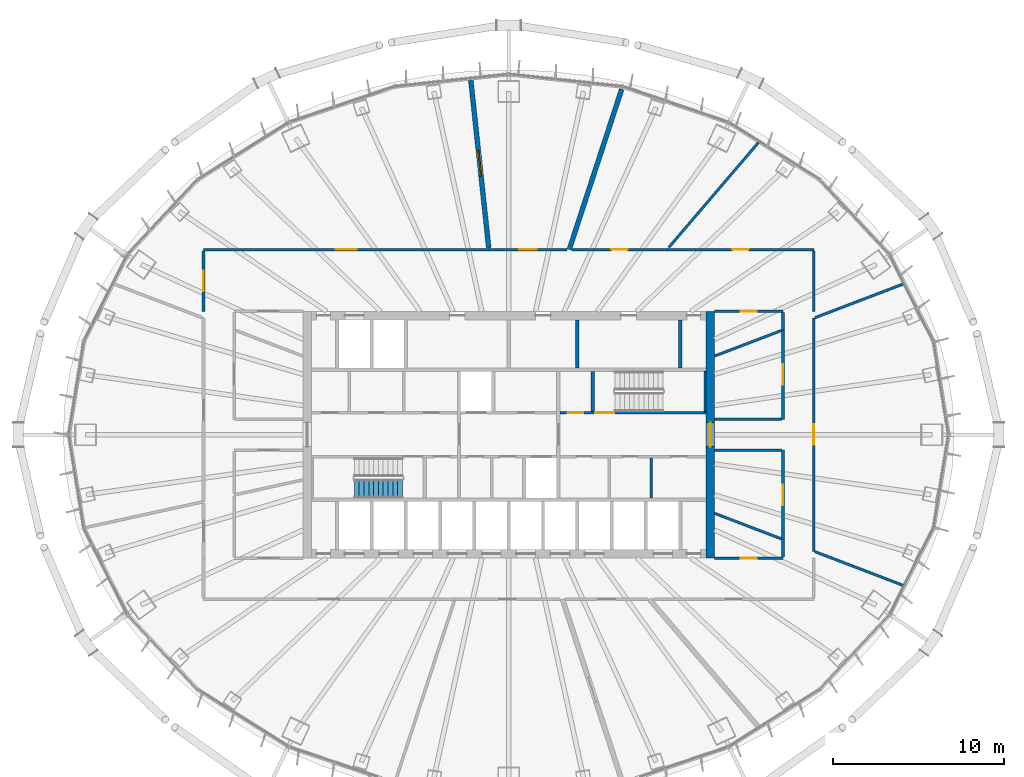
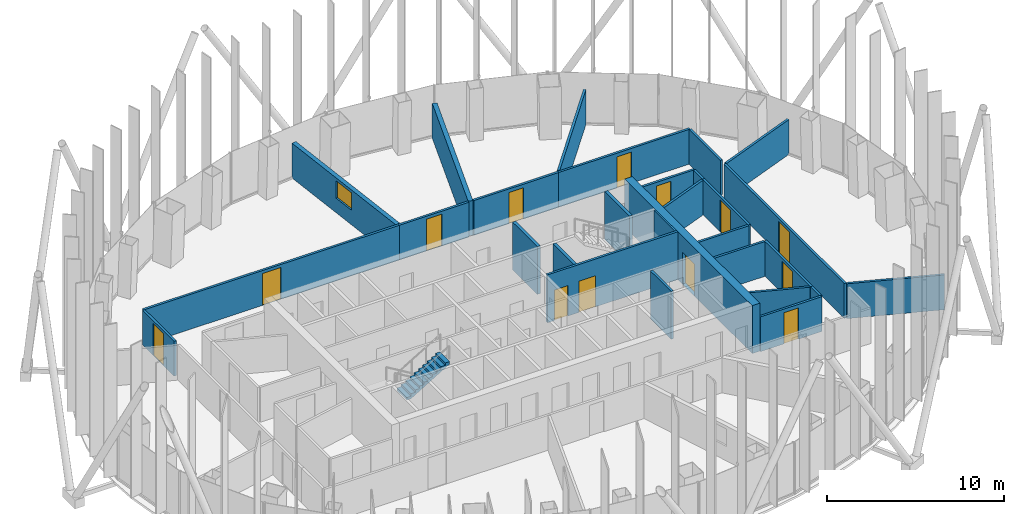
# One storey, part 11 of 20: 29 walls, 13 doors, 1 stair flight, 1 window, 14 openings, 1 element without a shape of its own.
"""IFC4 building model written with IfcOpenShell, lengths in metres."""

from ifc_helpers import new_model, si_unit, direction, frame, frame_2d, origin, place, context, subcontext, project, spatial, polyline, rectangle, outline, extrude, material, layer, layer_set, type_object, element, fill, aggregate, save


model = new_model("IFC4")

# Units and contexts
model_context = context("Model", 3, precision=1e-05, world=origin(), true_north=direction((0.0, 1.0)))
body_context = subcontext(model_context, "Body", "Model", "MODEL_VIEW")
ifc_project = project(units=[si_unit("LENGTHUNIT", "METRE"), si_unit("AREAUNIT", "SQUARE_METRE"), si_unit("VOLUMEUNIT", "CUBIC_METRE"), si_unit("PLANEANGLEUNIT", "RADIAN"), si_unit("MASSUNIT", "GRAM", prefix="KILO")], contexts=[model_context])

# Site, building, storey
site_placement = place(None, origin())
site = spatial("IfcSite", under=ifc_project, at=site_placement, CompositionType="ELEMENT")
building_placement = place(site_placement, origin())
building = spatial("IfcBuilding", under=site, at=building_placement, Name="Siaravel Broadcast Tower", CompositionType="ELEMENT")
storey_placement = place(building_placement, frame((0.0, 0.0, 108.199951171875)))
storey = spatial("IfcBuildingStorey", under=building, at=storey_placement, Name="L25", CompositionType="ELEMENT", Elevation=108.199951171875)

# Wall, opening, window
ifc_material_1 = material(Name="Double-leaf acoustic partition", Category="gypsum")
ifc_layer_1 = layer(ifc_material_1, 0.280029296875)
ifc_layer_set_1 = layer_set([ifc_layer_1], Name="Double-leaf acoustic partition")
wall_type_1 = type_object("IfcWallType", Name="Acoustic double-leaf wall 280", PredefinedType="PARTITIONING", material=ifc_layer_set_1)
wall_1_placement = place(storey_placement, frame((-2.218994140625, 20.774658203125, 0.0), z_axis=(0.0, 0.0, 1.0), x_axis=(0.106213943, -0.9943433, 0.0)))
wall_1 = element("IfcWall", 1, at=wall_1_placement, inside=storey, type_object=wall_type_1, Name="L25 partition 7", PredefinedType="PARTITIONING", context=body_context, shape_type="SweptSolid", body=[
    extrude(rectangle(XDim=9.93896484375, YDim=0.280029296875, at=frame_2d((4.969482421875, 0.0))), origin(), (0.0, 0.0, 1.0), 2.400146484375),
])
opening_1_placement = place(wall_1_placement, frame((4.219482421875, 0.0, 1.0)))
opening_1 = element("IfcOpeningElement", 2, at=opening_1_placement, cuts=wall_1, Name="Opening L25-W01", PredefinedType="OPENING", context=body_context, shape_type="SweptSolid", body=[
    extrude(rectangle(XDim=1.5, YDim=1.199951171875, at=frame_2d((0.75, 0.60009765625))), frame((0.0, 0.14990234375, 0.0), z_axis=(0.0, -1.0, 0.0), x_axis=(1.0, 0.0, 0.0)), (0.0, 0.0, 1.0), 0.300048828125),
])
ifc_material_2 = material(Name="Laminated acoustic glass", Category="glass")
window_type = type_object("IfcWindowType", Name="Studio viewing window 1500", PartitioningType="SINGLE_PANEL", PredefinedType="WINDOW", material=ifc_material_2)
window_placement = place(opening_1_placement, origin())
window = element("IfcWindow", 3, at=window_placement, inside=storey, type_object=window_type, Name="L25 viewing window to Viewing theatre", OverallHeight=1.199951171875, OverallWidth=1.5, PartitioningType="SINGLE_PANEL", PredefinedType="WINDOW", context=body_context, shape_type="SweptSolid", body=[
    extrude(rectangle(XDim=1.5, YDim=1.199951171875, at=frame_2d((0.75, 0.60009765625))), frame((0.0, 0.030029296875, 0.0), z_axis=(0.0, -1.0, 0.0), x_axis=(1.0, 0.0, 0.0)), (0.0, 0.0, 1.0), 0.06005859375),
])
fill(opening_1, window)

# Walls
wall_2_placement = place(storey_placement, frame((6.589599609375, 20.143798828125, 0.0), z_axis=(0.0, 0.0, 1.0), x_axis=(-0.310918337, -0.95043663, 0.0)))
element("IfcWall", 4, at=wall_2_placement, inside=storey, type_object=wall_type_1, Name="L25 partition 9", PredefinedType="PARTITIONING", context=body_context, shape_type="SweptSolid", body=[
    extrude(rectangle(XDim=9.8310546875, YDim=0.280029296875, at=frame_2d((4.91552734375, 0.0))), origin(), (0.0, 0.0, 1.0), 2.400146484375),
])
ifc_material_3 = material(Name="Concrete blockwork", Category="masonry")
ifc_layer_2 = layer(ifc_material_3, 0.14990234375)
ifc_layer_set_2 = layer_set([ifc_layer_2], Name="Concrete blockwork")
wall_type_2 = type_object("IfcWallType", Name="Core partition 150", PredefinedType="PARTITIONING", material=ifc_layer_set_2)
wall_3_placement = place(storey_placement, frame((8.30908203125, -3.699951171875, 0.0), z_axis=(0.0, 0.0, 1.0), x_axis=(0.0, 1.0, 0.0)))
element("IfcWall", 5, at=wall_3_placement, inside=storey, type_object=wall_type_2, Name="L25 core partition PSE1", PredefinedType="PARTITIONING", context=body_context, shape_type="SweptSolid", body=[
    extrude(rectangle(XDim=2.349853515625, YDim=0.14990234375, at=frame_2d((1.1748046875, 0.0))), origin(), (0.0, 0.0, 1.0), 3.300048828125),
])
ifc_layer_3 = layer(ifc_material_3, 0.199951171875)
ifc_layer_set_3 = layer_set([ifc_layer_3], Name="Concrete blockwork")
wall_type_3 = type_object("IfcWallType", Name="Core partition 200", PredefinedType="PARTITIONING", material=ifc_layer_set_3)
wall_4_placement = place(storey_placement, frame((4.0, 3.89990234375, 0.0), z_axis=(0.0, 0.0, 1.0), x_axis=(0.0, 1.0, 0.0)))
element("IfcWall", 6, at=wall_4_placement, inside=storey, type_object=wall_type_3, Name="L25 core partition PFN5", PredefinedType="PARTITIONING", context=body_context, shape_type="SweptSolid", body=[
    extrude(rectangle(XDim=2.800048828125, YDim=0.199951171875, at=frame_2d((1.39990234375, 0.0))), origin(), (0.0, 0.0, 1.0), 3.300048828125),
])

# Wall, opening, door
ifc_material_4 = material(Name="Concrete C60/75", Category="concrete")
ifc_layer_4 = layer(ifc_material_4, 0.5)
ifc_layer_set_4 = layer_set([ifc_layer_4], Name="Concrete C60/75")
wall_type_4 = type_object("IfcWallType", Name="Core wall 500", PredefinedType="SHEAR", material=ifc_layer_set_4)
wall_5_placement = place(storey_placement, frame((11.75, -7.199951171875, 0.0), z_axis=(0.0, 0.0, 1.0), x_axis=(0.0, 1.0, 0.0)))
wall_5 = element("IfcWall", 7, at=wall_5_placement, inside=storey, type_object=wall_type_4, Name="L25 core wall OE", PredefinedType="SHEAR", context=body_context, shape_type="SweptSolid", body=[
    extrude(rectangle(XDim=14.39990234375, YDim=0.5, at=frame_2d((7.199951171875, 0.0))), origin(), (0.0, 0.0, 1.0), 3.300048828125),
])
opening_2_placement = place(wall_5_placement, frame((6.5, 0.0, 0.0)))
opening_2 = element("IfcOpeningElement", 8, at=opening_2_placement, cuts=wall_5, Name="Opening L25-DX-E", PredefinedType="OPENING", context=body_context, shape_type="SweptSolid", body=[
    extrude(rectangle(XDim=1.39990234375, YDim=2.199951171875, at=frame_2d((0.699951171875, 1.10009765625))), frame((0.0, 0.260009765625, 0.0), z_axis=(0.0, -1.0, 0.0), x_axis=(1.0, 0.0, 0.0)), (0.0, 0.0, 1.0), 0.52001953125),
])
ifc_material_5 = material(Name="Steel", Category="steel")
door_type_1 = type_object("IfcDoorType", Name="Core exit door 1400", OperationType="DOUBLE_DOOR_SINGLE_SWING", PredefinedType="DOOR", material=ifc_material_5)
door_1_placement = place(opening_2_placement, origin())
door_1 = element("IfcDoor", 9, at=door_1_placement, inside=storey, type_object=door_type_1, Name="L25 door DX-E", OperationType="DOUBLE_DOOR_SINGLE_SWING", OverallHeight=2.199951171875, OverallWidth=1.39990234375, PredefinedType="DOOR", context=body_context, shape_type="SweptSolid", body=[
    extrude(rectangle(XDim=1.39990234375, YDim=2.199951171875, at=frame_2d((0.699951171875, 1.10009765625))), frame((0.0, 0.02490234375, 0.0), z_axis=(0.0, -1.0, 0.0), x_axis=(1.0, 0.0, 0.0)), (0.0, 0.0, 1.0), 0.050048828125),
])
fill(opening_2, door_1)

ifc_material_6 = material(Name="Gypsum board partition", Category="gypsum")
ifc_layer_5 = layer(ifc_material_6, 0.14990234375)
ifc_layer_set_5 = layer_set([ifc_layer_5], Name="Gypsum board partition")
wall_type_5 = type_object("IfcWallType", Name="Corridor wall 150", PredefinedType="PARTITIONING", material=ifc_layer_set_5)
wall_6_placement = place(storey_placement, frame((-1.153564453125, 10.800048828125, 0.0), z_axis=(0.0, 0.0, 1.0), x_axis=(-1.0, 0.0, 0.0)))
wall_6 = element("IfcWall", 10, at=wall_6_placement, inside=storey, type_object=wall_type_5, Name="L25 partition 1", PredefinedType="PARTITIONING", context=body_context, shape_type="SweptSolid", body=[
    extrude(rectangle(XDim=16.646484375, YDim=0.14990234375, at=frame_2d((8.3232421875, 0.0))), origin(), (0.0, 0.0, 1.0), 2.400146484375),
])
opening_3_placement = place(wall_6_placement, frame((7.72314453125, 0.0, 0.0)))
opening_3 = element("IfcOpeningElement", 11, at=opening_3_placement, cuts=wall_6, Name="Opening L25-011", PredefinedType="OPENING", context=body_context, shape_type="SweptSolid", body=[
    extrude(rectangle(XDim=1.199951171875, YDim=2.199951171875, at=frame_2d((0.60009765625, 1.10009765625))), frame((0.0, 0.0849609375, 0.0), z_axis=(0.0, -1.0, 0.0), x_axis=(1.0, 0.0, 0.0)), (0.0, 0.0, 1.0), 0.169921875),
])
ifc_material_7 = material(Name="Timber veneer", Category="wood")
door_type_2 = type_object("IfcDoorType", Name="Office double door 1200", OperationType="DOUBLE_DOOR_SINGLE_SWING", PredefinedType="DOOR", material=ifc_material_7)
door_2_placement = place(opening_3_placement, origin())
door_2 = element("IfcDoor", 12, at=door_2_placement, inside=storey, type_object=door_type_2, Name="L25 door to Open plan production office", OperationType="DOUBLE_DOOR_SINGLE_SWING", OverallHeight=2.199951171875, OverallWidth=1.199951171875, PredefinedType="DOOR", context=body_context, shape_type="SweptSolid", body=[
    extrude(rectangle(XDim=1.199951171875, YDim=2.199951171875, at=frame_2d((0.60009765625, 1.10009765625))), frame((0.0, 0.02490234375, 0.0), z_axis=(0.0, -1.0, 0.0), x_axis=(1.0, 0.0, 0.0)), (0.0, 0.0, 1.0), 0.050048828125),
])
fill(opening_3, door_2)

wall_7_placement = place(storey_placement, frame((17.800048828125, -6.798828125, 0.0), z_axis=(0.0, 0.0, 1.0), x_axis=(0.0, 1.0, 0.0)))
wall_7 = element("IfcWall", 13, at=wall_7_placement, inside=storey, type_object=wall_type_5, Name="L25 partition 3", PredefinedType="PARTITIONING", context=body_context, shape_type="SweptSolid", body=[
    extrude(rectangle(XDim=13.59765625, YDim=0.14990234375, at=frame_2d((6.798828125, 0.0))), origin(), (0.0, 0.0, 1.0), 2.400146484375),
])
opening_4_placement = place(wall_7_placement, frame((6.19873046875, 0.0, 0.0)))
opening_4 = element("IfcOpeningElement", 14, at=opening_4_placement, cuts=wall_7, Name="Opening L25-005", PredefinedType="OPENING", context=body_context, shape_type="SweptSolid", body=[
    extrude(rectangle(XDim=1.199951171875, YDim=2.199951171875, at=frame_2d((0.60009765625, 1.10009765625))), frame((0.0, 0.0849609375, 0.0), z_axis=(0.0, -1.0, 0.0), x_axis=(1.0, 0.0, 0.0)), (0.0, 0.0, 1.0), 0.169921875),
])
door_3_placement = place(opening_4_placement, origin())
door_3 = element("IfcDoor", 15, at=door_3_placement, inside=storey, type_object=door_type_2, Name="L25 door to Open plan production office", OperationType="DOUBLE_DOOR_SINGLE_SWING", OverallHeight=2.199951171875, OverallWidth=1.199951171875, PredefinedType="DOOR", context=body_context, shape_type="SweptSolid", body=[
    extrude(rectangle(XDim=1.199951171875, YDim=2.199951171875, at=frame_2d((0.60009765625, 1.10009765625))), frame((0.0, 0.02490234375, 0.0), z_axis=(0.0, -1.0, 0.0), x_axis=(1.0, 0.0, 0.0)), (0.0, 0.0, 1.0), 0.050048828125),
])
fill(opening_4, door_3)

wall_8_placement = place(storey_placement, frame((17.800048828125, 10.800048828125, 0.0), z_axis=(0.0, 0.0, 1.0), x_axis=(-1.0, 0.0, 0.0)))
wall_8 = element("IfcWall", 16, at=wall_8_placement, inside=storey, type_object=wall_type_5, Name="L25 partition 11", PredefinedType="PARTITIONING", context=body_context, shape_type="SweptSolid", body=[
    extrude(rectangle(XDim=8.56787109375, YDim=0.14990234375, at=frame_2d((4.283935546875, 0.0))), origin(), (0.0, 0.0, 1.0), 2.400146484375),
])
opening_5_placement = place(wall_8_placement, frame((3.808837890625, 0.0, 0.0)))
opening_5 = element("IfcOpeningElement", 17, at=opening_5_placement, cuts=wall_8, Name="Opening L25-007", PredefinedType="OPENING", context=body_context, shape_type="SweptSolid", body=[
    extrude(rectangle(XDim=0.949951171875, YDim=2.14990234375, at=frame_2d((0.47509765625, 1.074951171875))), frame((0.0, 0.0849609375, 0.0), z_axis=(0.0, -1.0, 0.0), x_axis=(1.0, 0.0, 0.0)), (0.0, 0.0, 1.0), 0.169921875),
])
door_type_3 = type_object("IfcDoorType", Name="Office door 950", OperationType="SINGLE_SWING_LEFT", PredefinedType="DOOR", material=ifc_material_7)
door_4_placement = place(opening_5_placement, origin())
door_4 = element("IfcDoor", 18, at=door_4_placement, inside=storey, type_object=door_type_3, Name="L25 door to Design studio", OperationType="SINGLE_SWING_LEFT", OverallHeight=2.14990234375, OverallWidth=0.949951171875, PredefinedType="DOOR", context=body_context, shape_type="SweptSolid", body=[
    extrude(rectangle(XDim=0.949951171875, YDim=2.14990234375, at=frame_2d((0.47509765625, 1.074951171875))), frame((0.0, 0.02490234375, 0.0), z_axis=(0.0, -1.0, 0.0), x_axis=(1.0, 0.0, 0.0)), (0.0, 0.0, 1.0), 0.050048828125),
])
fill(opening_5, door_4)

wall_9_placement = place(storey_placement, frame((9.231201171875, 10.800048828125, 0.0), z_axis=(0.0, 0.0, 1.0), x_axis=(-1.0, 0.0, 0.0)))
wall_9 = element("IfcWall", 19, at=wall_9_placement, inside=storey, type_object=wall_type_5, Name="L25 partition 15", PredefinedType="PARTITIONING", context=body_context, shape_type="SweptSolid", body=[
    extrude(rectangle(XDim=5.5244140625, YDim=0.14990234375, at=frame_2d((2.76220703125, 0.0))), origin(), (0.0, 0.0, 1.0), 2.400146484375),
])
opening_6_placement = place(wall_9_placement, frame((2.287109375, 0.0, 0.0)))
opening_6 = element("IfcOpeningElement", 20, at=opening_6_placement, cuts=wall_9, Name="Opening L25-008", PredefinedType="OPENING", context=body_context, shape_type="SweptSolid", body=[
    extrude(rectangle(XDim=0.949951171875, YDim=2.14990234375, at=frame_2d((0.47509765625, 1.074951171875))), frame((0.0, 0.0849609375, 0.0), z_axis=(0.0, -1.0, 0.0), x_axis=(1.0, 0.0, 0.0)), (0.0, 0.0, 1.0), 0.169921875),
])
door_5_placement = place(opening_6_placement, origin())
door_5 = element("IfcDoor", 21, at=door_5_placement, inside=storey, type_object=door_type_3, Name="L25 door to Production office", OperationType="SINGLE_SWING_RIGHT", OverallHeight=2.14990234375, OverallWidth=0.949951171875, PredefinedType="DOOR", context=body_context, shape_type="SweptSolid", body=[
    extrude(rectangle(XDim=0.949951171875, YDim=2.14990234375, at=frame_2d((0.47509765625, 1.074951171875))), frame((0.0, 0.02490234375, 0.0), z_axis=(0.0, -1.0, 0.0), x_axis=(1.0, 0.0, 0.0)), (0.0, 0.0, 1.0), 0.050048828125),
])
fill(opening_6, door_5)

wall_10_placement = place(storey_placement, frame((16.0, -0.89990234375, 0.0), z_axis=(0.0, 0.0, 1.0), x_axis=(0.0, -1.0, 0.0)))
wall_10 = element("IfcWall", 22, at=wall_10_placement, inside=storey, type_object=wall_type_5, Name="L25 partition 20", PredefinedType="PARTITIONING", context=body_context, shape_type="SweptSolid", body=[
    extrude(rectangle(XDim=5.21142578125, YDim=0.14990234375, at=frame_2d((2.605712890625, 0.0))), origin(), (0.0, 0.0, 1.0), 2.400146484375),
])
opening_7_placement = place(wall_10_placement, frame((2.005615234375, 0.0, 0.0)))
opening_7 = element("IfcOpeningElement", 23, at=opening_7_placement, cuts=wall_10, Name="Opening L25-003", PredefinedType="OPENING", context=body_context, shape_type="SweptSolid", body=[
    extrude(rectangle(XDim=1.199951171875, YDim=2.199951171875, at=frame_2d((0.60009765625, 1.10009765625))), frame((0.0, 0.0849609375, 0.0), z_axis=(0.0, -1.0, 0.0), x_axis=(1.0, 0.0, 0.0)), (0.0, 0.0, 1.0), 0.169921875),
])
door_6_placement = place(opening_7_placement, origin())
door_6 = element("IfcDoor", 24, at=door_6_placement, inside=storey, type_object=door_type_2, Name="L25 door to Open plan production office", OperationType="DOUBLE_DOOR_SINGLE_SWING", OverallHeight=2.199951171875, OverallWidth=1.199951171875, PredefinedType="DOOR", context=body_context, shape_type="SweptSolid", body=[
    extrude(rectangle(XDim=1.199951171875, YDim=2.199951171875, at=frame_2d((0.60009765625, 1.10009765625))), frame((0.0, 0.02490234375, 0.0), z_axis=(0.0, -1.0, 0.0), x_axis=(1.0, 0.0, 0.0)), (0.0, 0.0, 1.0), 0.050048828125),
])
fill(opening_7, door_6)

wall_11_placement = place(storey_placement, frame((16.0, 6.111328125, 0.0), z_axis=(0.0, 0.0, 1.0), x_axis=(0.0, -1.0, 0.0)))
wall_11 = element("IfcWall", 25, at=wall_11_placement, inside=storey, type_object=wall_type_5, Name="L25 partition 21", PredefinedType="PARTITIONING", context=body_context, shape_type="SweptSolid", body=[
    extrude(rectangle(XDim=5.21142578125, YDim=0.14990234375, at=frame_2d((2.605712890625, 0.0))), origin(), (0.0, 0.0, 1.0), 2.400146484375),
])
opening_8_placement = place(wall_11_placement, frame((2.005615234375, 0.0, 0.0)))
opening_8 = element("IfcOpeningElement", 26, at=opening_8_placement, cuts=wall_11, Name="Opening L25-004", PredefinedType="OPENING", context=body_context, shape_type="SweptSolid", body=[
    extrude(rectangle(XDim=1.199951171875, YDim=2.199951171875, at=frame_2d((0.60009765625, 1.10009765625))), frame((0.0, 0.0849609375, 0.0), z_axis=(0.0, -1.0, 0.0), x_axis=(1.0, 0.0, 0.0)), (0.0, 0.0, 1.0), 0.169921875),
])
door_7_placement = place(opening_8_placement, origin())
door_7 = element("IfcDoor", 27, at=door_7_placement, inside=storey, type_object=door_type_2, Name="L25 door to Open plan production office", OperationType="DOUBLE_DOOR_SINGLE_SWING", OverallHeight=2.199951171875, OverallWidth=1.199951171875, PredefinedType="DOOR", context=body_context, shape_type="SweptSolid", body=[
    extrude(rectangle(XDim=1.199951171875, YDim=2.199951171875, at=frame_2d((0.60009765625, 1.10009765625))), frame((0.0, 0.02490234375, 0.0), z_axis=(0.0, -1.0, 0.0), x_axis=(1.0, 0.0, 0.0)), (0.0, 0.0, 1.0), 0.050048828125),
])
fill(opening_8, door_7)

wall_12_placement = place(storey_placement, frame((3.397705078125, 10.800048828125, 0.0), z_axis=(0.0, 0.0, 1.0), x_axis=(-1.0, 0.0, 0.0)))
wall_12 = element("IfcWall", 28, at=wall_12_placement, inside=storey, type_object=wall_type_5, Name="L25 partition 23", PredefinedType="PARTITIONING", context=body_context, shape_type="SweptSolid", body=[
    extrude(rectangle(XDim=4.55126953125, YDim=0.14990234375, at=frame_2d((2.275634765625, 0.0))), origin(), (0.0, 0.0, 1.0), 2.400146484375),
])
opening_9_placement = place(wall_12_placement, frame((1.775634765625, 0.0, 0.0)))
opening_9 = element("IfcOpeningElement", 29, at=opening_9_placement, cuts=wall_12, Name="Opening L25-009", PredefinedType="OPENING", context=body_context, shape_type="SweptSolid", body=[
    extrude(rectangle(XDim=1.0, YDim=2.199951171875, at=frame_2d((0.5, 1.10009765625))), frame((0.0, 0.0849609375, 0.0), z_axis=(0.0, -1.0, 0.0), x_axis=(1.0, 0.0, 0.0)), (0.0, 0.0, 1.0), 0.169921875),
])
ifc_material_8 = material(Name="Acoustic timber and steel", Category="steel")
door_type_4 = type_object("IfcDoorType", Name="Acoustic door 1000", OperationType="SINGLE_SWING_LEFT", PredefinedType="DOOR", material=ifc_material_8)
door_8_placement = place(opening_9_placement, origin())
door_8 = element("IfcDoor", 30, at=door_8_placement, inside=storey, type_object=door_type_4, Name="L25 door to Viewing theatre", OperationType="SINGLE_SWING_LEFT", OverallHeight=2.199951171875, OverallWidth=1.0, PredefinedType="DOOR", context=body_context, shape_type="SweptSolid", body=[
    extrude(rectangle(XDim=1.0, YDim=2.199951171875, at=frame_2d((0.5, 1.10009765625))), frame((0.0, 0.02490234375, 0.0), z_axis=(0.0, -1.0, 0.0), x_axis=(1.0, 0.0, 0.0)), (0.0, 0.0, 1.0), 0.050048828125),
])
fill(opening_9, door_8)

# Wall
wall_13_placement = place(storey_placement, frame((12.0, -0.89990234375, 0.0), z_axis=(0.0, 0.0, 1.0), x_axis=(1.0, 0.0, 0.0)))
element("IfcWall", 31, at=wall_13_placement, inside=storey, type_object=wall_type_5, Name="L25 partition 32", PredefinedType="PARTITIONING", context=body_context, shape_type="SweptSolid", body=[
    extrude(rectangle(XDim=3.923095703125, YDim=0.14990234375, at=frame_2d((1.96142578125, 0.0))), origin(), (0.0, 0.0, 1.0), 2.400146484375),
])

# Wall, opening, door
wall_14_placement = place(storey_placement, frame((12.0, 7.199951171875, 0.0), z_axis=(0.0, 0.0, 1.0), x_axis=(1.0, 0.0, 0.0)))
wall_14 = element("IfcWall", 32, at=wall_14_placement, inside=storey, type_object=wall_type_5, Name="L25 partition 33", PredefinedType="PARTITIONING", context=body_context, shape_type="SweptSolid", body=[
    extrude(rectangle(XDim=4.0, YDim=0.14990234375, at=frame_2d((2.0, 0.0))), origin(), (0.0, 0.0, 1.0), 2.400146484375),
])
opening_10_placement = place(wall_14_placement, frame((1.52490234375, 0.0, 0.0)))
opening_10 = element("IfcOpeningElement", 33, at=opening_10_placement, cuts=wall_14, Name="Opening L25-006", PredefinedType="OPENING", context=body_context, shape_type="SweptSolid", body=[
    extrude(rectangle(XDim=0.949951171875, YDim=2.14990234375, at=frame_2d((0.47509765625, 1.074951171875))), frame((0.0, 0.0849609375, 0.0), z_axis=(0.0, -1.0, 0.0), x_axis=(1.0, 0.0, 0.0)), (0.0, 0.0, 1.0), 0.169921875),
])
door_9_placement = place(opening_10_placement, origin())
door_9 = element("IfcDoor", 34, at=door_9_placement, inside=storey, type_object=door_type_3, Name="L25 door to Design studio", OperationType="SINGLE_SWING_RIGHT", OverallHeight=2.14990234375, OverallWidth=0.949951171875, PredefinedType="DOOR", context=body_context, shape_type="SweptSolid", body=[
    extrude(rectangle(XDim=0.949951171875, YDim=2.14990234375, at=frame_2d((0.47509765625, 1.074951171875))), frame((0.0, 0.02490234375, 0.0), z_axis=(0.0, -1.0, 0.0), x_axis=(1.0, 0.0, 0.0)), (0.0, 0.0, 1.0), 0.050048828125),
])
fill(opening_10, door_9)

wall_15_placement = place(storey_placement, frame((16.0, -7.199951171875, 0.0), z_axis=(0.0, 0.0, 1.0), x_axis=(-1.0, 0.0, 0.0)))
wall_15 = element("IfcWall", 35, at=wall_15_placement, inside=storey, type_object=wall_type_5, Name="L25 partition 34", PredefinedType="PARTITIONING", context=body_context, shape_type="SweptSolid", body=[
    extrude(rectangle(XDim=4.0, YDim=0.14990234375, at=frame_2d((2.0, 0.0))), origin(), (0.0, 0.0, 1.0), 2.400146484375),
])
opening_11_placement = place(wall_15_placement, frame((1.52490234375, 0.0, 0.0)))
opening_11 = element("IfcOpeningElement", 36, at=opening_11_placement, cuts=wall_15, Name="Opening L25-001", PredefinedType="OPENING", context=body_context, shape_type="SweptSolid", body=[
    extrude(rectangle(XDim=0.949951171875, YDim=2.14990234375, at=frame_2d((0.47509765625, 1.074951171875))), frame((0.0, 0.0849609375, 0.0), z_axis=(0.0, -1.0, 0.0), x_axis=(1.0, 0.0, 0.0)), (0.0, 0.0, 1.0), 0.169921875),
])
door_10_placement = place(opening_11_placement, origin())
door_10 = element("IfcDoor", 37, at=door_10_placement, inside=storey, type_object=door_type_3, Name="L25 door to Design studio", OperationType="SINGLE_SWING_LEFT", OverallHeight=2.14990234375, OverallWidth=0.949951171875, PredefinedType="DOOR", context=body_context, shape_type="SweptSolid", body=[
    extrude(rectangle(XDim=0.949951171875, YDim=2.14990234375, at=frame_2d((0.47509765625, 1.074951171875))), frame((0.0, 0.02490234375, 0.0), z_axis=(0.0, -1.0, 0.0), x_axis=(1.0, 0.0, 0.0)), (0.0, 0.0, 1.0), 0.050048828125),
])
fill(opening_11, door_10)

# Wall
wall_16_placement = place(storey_placement, frame((15.923095703125, 0.89990234375, 0.0), z_axis=(0.0, 0.0, 1.0), x_axis=(-1.0, 0.0, 0.0)))
element("IfcWall", 38, at=wall_16_placement, inside=storey, type_object=wall_type_5, Name="L25 partition 35", PredefinedType="PARTITIONING", context=body_context, shape_type="SweptSolid", body=[
    extrude(rectangle(XDim=3.923095703125, YDim=0.14990234375, at=frame_2d((1.96142578125, 0.0))), origin(), (0.0, 0.0, 1.0), 2.400146484375),
])

# Wall, opening, door
wall_17_placement = place(storey_placement, frame((-17.800048828125, 10.722900390625, 0.0), z_axis=(0.0, 0.0, 1.0), x_axis=(0.0, -1.0, 0.0)))
wall_17 = element("IfcWall", 39, at=wall_17_placement, inside=storey, type_object=wall_type_5, Name="L25 partition 37", PredefinedType="PARTITIONING", context=body_context, shape_type="SweptSolid", body=[
    extrude(rectangle(XDim=3.534912109375, YDim=0.14990234375, at=frame_2d((1.767578125, 0.0))), origin(), (0.0, 0.0, 1.0), 2.400146484375),
])
opening_12_placement = place(wall_17_placement, frame((1.16748046875, 0.0, 0.0)))
opening_12 = element("IfcOpeningElement", 40, at=opening_12_placement, cuts=wall_17, Name="Opening L25-012", PredefinedType="OPENING", context=body_context, shape_type="SweptSolid", body=[
    extrude(rectangle(XDim=1.199951171875, YDim=2.199951171875, at=frame_2d((0.60009765625, 1.10009765625))), frame((0.0, 0.0849609375, 0.0), z_axis=(0.0, -1.0, 0.0), x_axis=(1.0, 0.0, 0.0)), (0.0, 0.0, 1.0), 0.169921875),
])
door_11_placement = place(opening_12_placement, origin())
door_11 = element("IfcDoor", 41, at=door_11_placement, inside=storey, type_object=door_type_2, Name="L25 door to Open plan production office", OperationType="DOUBLE_DOOR_SINGLE_SWING", OverallHeight=2.199951171875, OverallWidth=1.199951171875, PredefinedType="DOOR", context=body_context, shape_type="SweptSolid", body=[
    extrude(rectangle(XDim=1.199951171875, YDim=2.199951171875, at=frame_2d((0.60009765625, 1.10009765625))), frame((0.0, 0.02490234375, 0.0), z_axis=(0.0, -1.0, 0.0), x_axis=(1.0, 0.0, 0.0)), (0.0, 0.0, 1.0), 0.050048828125),
])
fill(opening_12, door_11)

# Walls
wall_18_placement = place(storey_placement, frame((17.800048828125, 7.18798828125, 0.0), z_axis=(0.0, 0.0, 1.0), x_axis=(0.0, 1.0, 0.0)))
element("IfcWall", 42, at=wall_18_placement, inside=storey, type_object=wall_type_5, Name="L25 partition 38", PredefinedType="PARTITIONING", context=body_context, shape_type="SweptSolid", body=[
    extrude(rectangle(XDim=3.534912109375, YDim=0.14990234375, at=frame_2d((1.767578125, 0.0))), origin(), (0.0, 0.0, 1.0), 2.400146484375),
])
for number, where, z_axis, x_axis, name in (
    (43, (16.0, -6.1123046875, 0.0), (0.0, 0.0, 1.0), (0.0, -1.0, 0.0), "L25 partition 44"),
    (44, (16.0, 7.123046875, 0.0), (0.0, 0.0, 1.0), (0.0, -1.0, 0.0), "L25 partition 45"),
):
    element("IfcWall", number, at=place(storey_placement, frame(where, z_axis=z_axis, x_axis=x_axis)), inside=storey, type_object=wall_type_5, Name=name, PredefinedType="PARTITIONING", context=body_context, shape_type="SweptSolid", body=[
        extrude(rectangle(XDim=1.0107421875, YDim=0.14990234375, at=frame_2d((0.50537109375, 0.0))), origin(), (0.0, 0.0, 1.0), 2.400146484375),
    ])
ifc_layer_6 = layer(ifc_material_6, 0.14990234375)
ifc_layer_set_6 = layer_set([ifc_layer_6], Name="Gypsum board partition")
wall_type_6 = type_object("IfcWallType", Name="Room partition 150", PredefinedType="PARTITIONING", material=ifc_layer_set_6)
wall_19_placement = place(storey_placement, frame((14.606689453125, 17.087158203125, 0.0), z_axis=(0.0, 0.0, 1.0), x_axis=(-0.649776378, -0.760125423, 0.0)))
element("IfcWall", 45, at=wall_19_placement, inside=storey, type_object=wall_type_6, Name="L25 partition 12", PredefinedType="PARTITIONING", context=body_context, shape_type="SweptSolid", body=[
    extrude(rectangle(XDim=8.1064453125, YDim=0.14990234375, at=frame_2d((4.05322265625, 0.0))), origin(), (0.0, 0.0, 1.0), 2.400146484375),
])
wall_20_placement = place(storey_placement, frame((23.09375, -8.82080078125, 0.0), z_axis=(0.0, 0.0, 1.0), x_axis=(-0.934174226, 0.356817201, 0.0)))
element("IfcWall", 46, at=wall_20_placement, inside=storey, type_object=wall_type_6, Name="L25 partition 17", PredefinedType="PARTITIONING", context=body_context, shape_type="SweptSolid", body=[
    extrude(rectangle(XDim=5.5947265625, YDim=0.14990234375, at=frame_2d((2.79736328125, 0.0))), origin(), (0.0, 0.0, 1.0), 2.400146484375),
])
wall_21_placement = place(storey_placement, frame((23.092041015625, 8.8203125, 0.0), z_axis=(0.0, 0.0, 1.0), x_axis=(-0.934164423, -0.356842865, 0.0)))
element("IfcWall", 47, at=wall_21_placement, inside=storey, type_object=wall_type_6, Name="L25 partition 18", PredefinedType="PARTITIONING", context=body_context, shape_type="SweptSolid", body=[
    extrude(rectangle(XDim=5.593017578125, YDim=0.14990234375, at=frame_2d((2.79638671875, 0.0))), origin(), (0.0, 0.0, 1.0), 2.400146484375),
])
for number, where, z_axis, x_axis, name in (
    (48, (15.896484375, -6.07177734375, 0.0), (0.0, 0.0, 1.0), (-0.934175823, 0.356813021, 0.0), "L25 partition 25"),
    (49, (15.896484375, 6.07177734375, 0.0), (0.0, 0.0, 1.0), (-0.934175823, -0.356813021, 0.0), "L25 partition 26"),
):
    element("IfcWall", number, at=place(storey_placement, frame(where, z_axis=z_axis, x_axis=x_axis)), inside=storey, type_object=wall_type_6, Name=name, PredefinedType="PARTITIONING", context=body_context, shape_type="SweptSolid", body=[
        extrude(rectangle(XDim=4.171142578125, YDim=0.14990234375, at=frame_2d((2.08544921875, 0.0))), origin(), (0.0, 0.0, 1.0), 2.400146484375),
    ])
ifc_layer_7 = layer(ifc_material_4, 0.10009765625)
ifc_layer_set_7 = layer_set([ifc_layer_7], Name="Concrete C60/75")
wall_type_7 = type_object("IfcWallType", Name="Shaft wall 100", PredefinedType="SHEAR", material=ifc_layer_set_7)
wall_22_placement = place(storey_placement, frame((11.449951171875, 1.35009765625, 0.0), z_axis=(0.0, 0.0, 1.0), x_axis=(0.0, 1.0, 0.0)))
element("IfcWall", 50, at=wall_22_placement, inside=storey, type_object=wall_type_7, Name="L25 core wall ST2E", PredefinedType="SHEAR", context=body_context, shape_type="SweptSolid", body=[
    extrude(rectangle(XDim=2.349853515625, YDim=0.10009765625, at=frame_2d((1.1748046875, 0.0))), origin(), (0.0, 0.0, 1.0), 3.300048828125),
])

# Wall, openings, doors
ifc_layer_8 = layer(ifc_material_4, 0.14990234375)
ifc_layer_set_8 = layer_set([ifc_layer_8], Name="Concrete C60/75")
wall_type_8 = type_object("IfcWallType", Name="Shaft wall 150", PredefinedType="SHEAR", material=ifc_layer_set_8)
wall_23_placement = place(storey_placement, frame((3.0, 1.27490234375, 0.0), z_axis=(0.0, 0.0, 1.0), x_axis=(1.0, 0.0, 0.0)))
wall_23 = element("IfcWall", 51, at=wall_23_placement, inside=storey, type_object=wall_type_8, Name="L25 core wall CNE", PredefinedType="SHEAR", context=body_context, shape_type="SweptSolid", body=[
    extrude(rectangle(XDim=8.5, YDim=0.14990234375, at=frame_2d((4.25, 0.0))), origin(), (0.0, 0.0, 1.0), 3.300048828125),
])
opening_13_placement = place(wall_23_placement, frame((2.050048828125, 0.0, 0.0)))
opening_13 = element("IfcOpeningElement", 52, at=opening_13_placement, cuts=wall_23, Name="Opening L25-DS-2", PredefinedType="OPENING", context=body_context, shape_type="SweptSolid", body=[
    extrude(rectangle(XDim=1.10009765625, YDim=2.14990234375, at=frame_2d((0.550048828125, 1.074951171875))), frame((0.0, 0.0849609375, 0.0), z_axis=(0.0, -1.0, 0.0), x_axis=(1.0, 0.0, 0.0)), (0.0, 0.0, 1.0), 0.169921875),
])
opening_14_placement = place(wall_23_placement, frame((0.449951171875, 0.0, 0.0)))
opening_14 = element("IfcOpeningElement", 53, at=opening_14_placement, cuts=wall_23, Name="Opening L25-DNE0", PredefinedType="OPENING", context=body_context, shape_type="SweptSolid", body=[
    extrude(rectangle(XDim=0.89990234375, YDim=2.10009765625, at=frame_2d((0.449951171875, 1.050048828125))), frame((0.0, 0.0849609375, 0.0), z_axis=(0.0, -1.0, 0.0), x_axis=(1.0, 0.0, 0.0)), (0.0, 0.0, 1.0), 0.169921875),
])
door_type_5 = type_object("IfcDoorType", Name="Core room door 900", OperationType="SINGLE_SWING_LEFT", PredefinedType="DOOR", material=ifc_material_7)
door_12_placement = place(opening_14_placement, origin())
door_12 = element("IfcDoor", 54, at=door_12_placement, inside=storey, type_object=door_type_5, Name="L25 door DNE0", OperationType="SINGLE_SWING_LEFT", OverallHeight=2.10009765625, OverallWidth=0.89990234375, PredefinedType="DOOR", context=body_context, shape_type="SweptSolid", body=[
    extrude(rectangle(XDim=0.89990234375, YDim=2.10009765625, at=frame_2d((0.449951171875, 1.050048828125))), frame((0.0, 0.02490234375, 0.0), z_axis=(0.0, -1.0, 0.0), x_axis=(1.0, 0.0, 0.0)), (0.0, 0.0, 1.0), 0.050048828125),
])
fill(opening_14, door_12)
door_type_6 = type_object("IfcDoorType", Name="Stair door 1100", OperationType="SINGLE_SWING_LEFT", PredefinedType="DOOR", material=ifc_material_5)
door_13_placement = place(opening_13_placement, origin())
door_13 = element("IfcDoor", 55, at=door_13_placement, inside=storey, type_object=door_type_6, Name="L25 door DS-2", OperationType="SINGLE_SWING_LEFT", OverallHeight=2.14990234375, OverallWidth=1.10009765625, PredefinedType="DOOR", context=body_context, shape_type="SweptSolid", body=[
    extrude(rectangle(XDim=1.10009765625, YDim=2.14990234375, at=frame_2d((0.550048828125, 1.074951171875))), frame((0.0, 0.02490234375, 0.0), z_axis=(0.0, -1.0, 0.0), x_axis=(1.0, 0.0, 0.0)), (0.0, 0.0, 1.0), 0.050048828125),
])
fill(opening_13, door_13)

# Walls
ifc_layer_9 = layer(ifc_material_4, 0.199951171875)
ifc_layer_set_9 = layer_set([ifc_layer_9], Name="Concrete C60/75")
wall_type_9 = type_object("IfcWallType", Name="Shaft wall 200", PredefinedType="SHEAR", material=ifc_layer_set_9)
wall_24_placement = place(storey_placement, frame((10.0, 3.89990234375, 0.0), z_axis=(0.0, 0.0, 1.0), x_axis=(0.0, 1.0, 0.0)))
element("IfcWall", 56, at=wall_24_placement, inside=storey, type_object=wall_type_9, Name="L25 core wall SWN10", PredefinedType="SHEAR", context=body_context, shape_type="SweptSolid", body=[
    extrude(rectangle(XDim=2.800048828125, YDim=0.199951171875, at=frame_2d((1.39990234375, 0.0))), origin(), (0.0, 0.0, 1.0), 3.300048828125),
])
wall_25_placement = place(storey_placement, frame((4.89990234375, 1.35009765625, 0.0), z_axis=(0.0, 0.0, 1.0), x_axis=(0.0, 1.0, 0.0)))
element("IfcWall", 57, at=wall_25_placement, inside=storey, type_object=wall_type_9, Name="L25 core wall ST2W", PredefinedType="SHEAR", context=body_context, shape_type="SweptSolid", body=[
    extrude(rectangle(XDim=2.349853515625, YDim=0.199951171875, at=frame_2d((1.1748046875, 0.0))), origin(), (0.0, 0.0, 1.0), 3.300048828125),
])

# Stair, stair flight
ifc_material_9 = material(Name="Concrete C40/50", Category="concrete")
stair_type = type_object("IfcStairType", Name="Core exit stair", PredefinedType="HALF_TURN_STAIR", material=ifc_material_9)
stair_placement = place(storey_placement, origin())
stair = element("IfcStair", 58, at=stair_placement, inside=storey, type_object=stair_type, Name="L25 Exit stair ST-1", PredefinedType="HALF_TURN_STAIR")
stair_flight_type = type_object("IfcStairFlightType", Name="Stair flight 1100", PredefinedType="STRAIGHT", material=ifc_material_9)
stair_flight_placement = place(storey_placement, frame((-9.0, -3.14990234375, 1.85009765625), z_axis=(0.0, 0.0, 1.0), x_axis=(1.0, 0.0, 0.0)))
stair_flight = element("IfcStairFlight", 59, at=stair_flight_placement, type_object=stair_flight_type, Name="ST-1 flight 2", NumberOfRisers=11, NumberOfTreads=10, PredefinedType="STRAIGHT", RiserHeight=0.1681818, TreadLength=0.28, context=body_context, shape_type="SweptSolid", body=[
    extrude(outline(polyline([(0.0, 0.0), (0.0, 0.168212890625), (0.280029296875, 0.168212890625), (0.280029296875, 0.33642578125), (0.56005859375, 0.33642578125), (0.56005859375, 0.504638671875), (0.840087890625, 0.504638671875), (0.840087890625, 0.672607421875), (1.1201171875, 0.672607421875), (1.1201171875, 0.8408203125), (1.39990234375, 0.8408203125), (1.39990234375, 1.009033203125), (1.679931640625, 1.009033203125), (1.679931640625, 1.17724609375), (1.9599609375, 1.17724609375), (1.9599609375, 1.345458984375), (2.239990234375, 1.345458984375), (2.239990234375, 1.513671875), (2.52001953125, 1.513671875), (2.52001953125, 1.681884765625), (2.800048828125, 1.681884765625), (2.800048828125, 1.85009765625), (2.800048828125, 1.5068359375), (0.291015625, 0.0), (0.0, 0.0)])), frame((0.0, 0.550048828125, 0.0), z_axis=(0.0, -1.0, 0.0), x_axis=(1.0, 0.0, 0.0)), (0.0, 0.0, 1.0), 1.10009765625),
])
aggregate(stair, [stair_flight])

save(model, "model.ifc")
